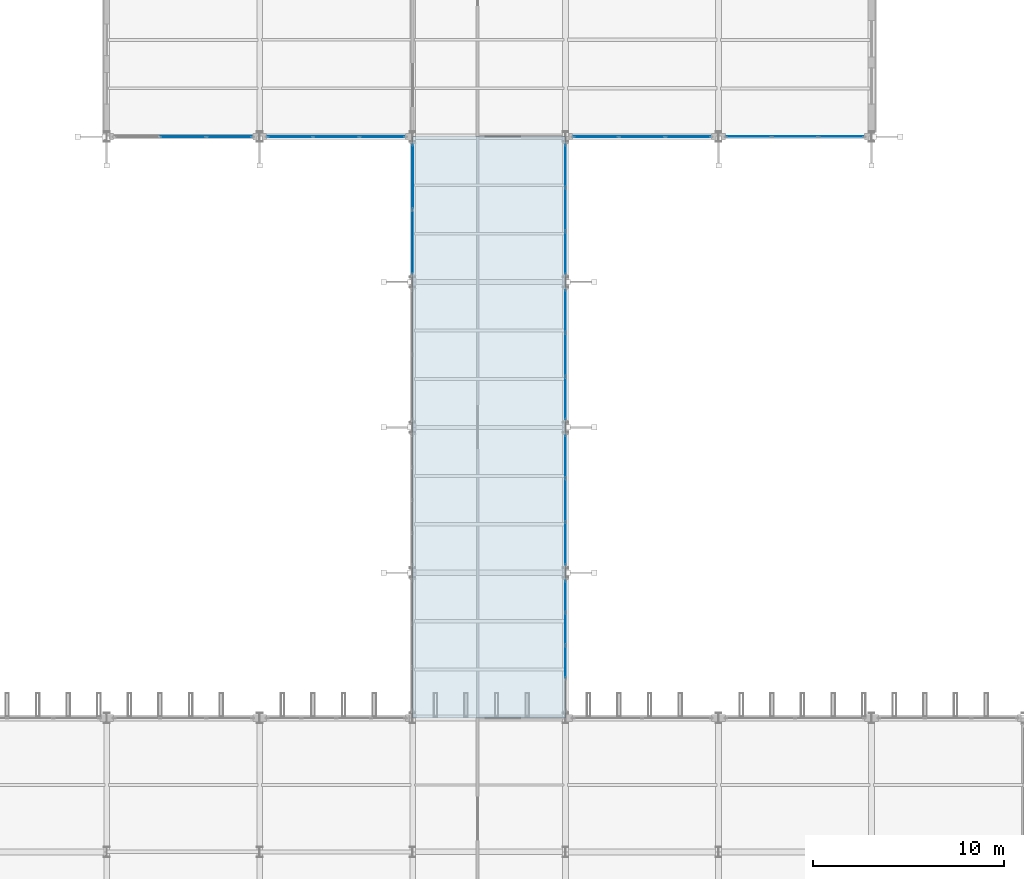
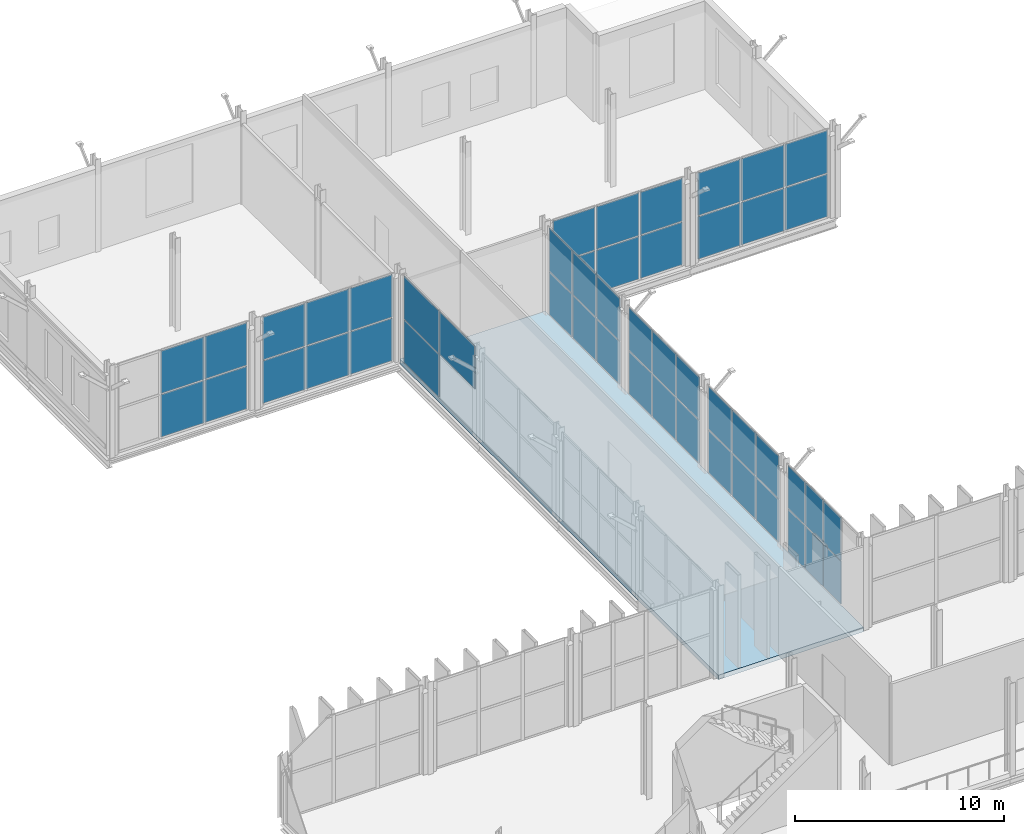
# One storey, part 104 of 147: 49 plates, 1 slab, 9 elements without a shape of their own.
"""IFC4 building model written with IfcOpenShell, lengths in metres."""

from ifc_helpers import new_model, si_unit, direction, frame, origin, origin_2d, place, context, subcontext, project, spatial, polyline, rectangle, outline, extrude, material, layer, layer_set, type_object, element, aggregate, save


model = new_model("IFC4")

# Units and contexts
model_context = context("Model", 3, precision=1e-05, world=origin(), true_north=direction((0.0, 1.0)))
body_context = subcontext(model_context, "Body", "Model", "MODEL_VIEW")
ifc_project = project(units=[si_unit("LENGTHUNIT", "METRE"), si_unit("AREAUNIT", "SQUARE_METRE"), si_unit("VOLUMEUNIT", "CUBIC_METRE"), si_unit("PLANEANGLEUNIT", "RADIAN"), si_unit("MASSUNIT", "GRAM", prefix="KILO")], contexts=[model_context])

# Site, building, storey
site_placement = place(None, origin())
site = spatial("IfcSite", under=ifc_project, at=site_placement, CompositionType="ELEMENT")
building_placement = place(site_placement, origin())
building = spatial("IfcBuilding", under=site, at=building_placement, Name="Vekula Escarpment Museum", CompositionType="ELEMENT")
storey_placement = place(building_placement, frame((0.0, 0.0, 7.800048828125)))
storey = spatial("IfcBuildingStorey", under=building, at=storey_placement, Name="L02", CompositionType="ELEMENT", Elevation=7.800048828125)

# Curtain wall, plates
ifc_material_1 = material(Name="Aluminium thermally broken framing", Category="aluminium")
ifc_layer_1 = layer(ifc_material_1, 0.169921875)
ifc_layer_set_1 = layer_set([ifc_layer_1], Name="Aluminium thermally broken framing")
curtain_wall_type_1 = type_object("IfcCurtainWallType", Name="CW-SYS-10", PredefinedType="NOTDEFINED", material=ifc_layer_set_1)
curtain_wall_1_placement = place(storey_placement, origin())
curtain_wall_1 = element("IfcCurtainWall", 1, at=curtain_wall_1_placement, inside=storey, type_object=curtain_wall_type_1, Name="Curtain Wall CW-L02-080", PredefinedType="NOTDEFINED")
ifc_material_2 = material(Name="Double solar-control low-E glass", Category="glass")
ifc_layer_2 = layer(ifc_material_2, 0.028076171875)
ifc_layer_set_2 = layer_set([ifc_layer_2], Name="Double solar-control low-E glass")
plate_type_1 = type_object("IfcPlateType", Name="CW-PNL-28", PredefinedType="CURTAIN_PANEL", material=ifc_layer_set_2)
plate_1_placement = place(storey_placement, frame((102.0, 99.52294921875, 0.06494140625), z_axis=(0.0, 0.0, 1.0), x_axis=(0.0, 1.0, 0.0)))
plate_1 = element("IfcPlate", 2, at=plate_1_placement, type_object=plate_type_1, Name="CW-10 panel 1.1", PredefinedType="CURTAIN_PANEL", context=body_context, shape_type="SweptSolid", body=[
    extrude(rectangle(XDim=2.19580078125, YDim=0.028076171875, at=origin_2d()), origin(), (0.0, 0.0, 1.0), 2.4775390625),
])
plate_2_placement = place(storey_placement, frame((102.0, 99.52294921875, 2.607421875), z_axis=(0.0, 0.0, 1.0), x_axis=(0.0, 1.0, 0.0)))
plate_2 = element("IfcPlate", 3, at=plate_2_placement, type_object=plate_type_1, Name="CW-10 panel 1.2", PredefinedType="CURTAIN_PANEL", context=body_context, shape_type="SweptSolid", body=[
    extrude(rectangle(XDim=2.19580078125, YDim=0.028076171875, at=origin_2d()), origin(), (0.0, 0.0, 1.0), 2.4775390625),
])
plate_3_placement = place(storey_placement, frame((102.0, 101.800048828125, 0.06494140625), z_axis=(0.0, 0.0, 1.0), x_axis=(0.0, 1.0, 0.0)))
plate_3 = element("IfcPlate", 4, at=plate_3_placement, type_object=plate_type_1, Name="CW-10 panel 2.1", PredefinedType="CURTAIN_PANEL", context=body_context, shape_type="SweptSolid", body=[
    extrude(rectangle(XDim=2.228271484375, YDim=0.028076171875, at=origin_2d()), origin(), (0.0, 0.0, 1.0), 2.4775390625),
])
plate_4_placement = place(storey_placement, frame((102.0, 101.800048828125, 2.607421875), z_axis=(0.0, 0.0, 1.0), x_axis=(0.0, 1.0, 0.0)))
plate_4 = element("IfcPlate", 5, at=plate_4_placement, type_object=plate_type_1, Name="CW-10 panel 2.2", PredefinedType="CURTAIN_PANEL", context=body_context, shape_type="SweptSolid", body=[
    extrude(rectangle(XDim=2.228271484375, YDim=0.028076171875, at=origin_2d()), origin(), (0.0, 0.0, 1.0), 2.4775390625),
])
plate_5_placement = place(storey_placement, frame((102.0, 104.0771484375, 0.06494140625), z_axis=(0.0, 0.0, 1.0), x_axis=(0.0, 1.0, 0.0)))
plate_5 = element("IfcPlate", 6, at=plate_5_placement, type_object=plate_type_1, Name="CW-10 panel 3.1", PredefinedType="CURTAIN_PANEL", context=body_context, shape_type="SweptSolid", body=[
    extrude(rectangle(XDim=2.19580078125, YDim=0.028076171875, at=origin_2d()), origin(), (0.0, 0.0, 1.0), 2.4775390625),
])
plate_6_placement = place(storey_placement, frame((102.0, 104.0771484375, 2.607421875), z_axis=(0.0, 0.0, 1.0), x_axis=(0.0, 1.0, 0.0)))
plate_6 = element("IfcPlate", 7, at=plate_6_placement, type_object=plate_type_1, Name="CW-10 panel 3.2", PredefinedType="CURTAIN_PANEL", context=body_context, shape_type="SweptSolid", body=[
    extrude(rectangle(XDim=2.19580078125, YDim=0.028076171875, at=origin_2d()), origin(), (0.0, 0.0, 1.0), 2.4775390625),
])
aggregate(curtain_wall_1, [plate_1, plate_2, plate_3, plate_4, plate_5, plate_6])

ifc_material_3 = material(Name="Aluminium thermally broken framing", Category="aluminium")
ifc_layer_3 = layer(ifc_material_3, 0.199951171875)
ifc_layer_set_3 = layer_set([ifc_layer_3], Name="Aluminium thermally broken framing")
curtain_wall_type_2 = type_object("IfcCurtainWallType", Name="CW-SYS-04", PredefinedType="NOTDEFINED", material=ifc_layer_set_3)
curtain_wall_2_placement = place(storey_placement, origin())
curtain_wall_2 = element("IfcCurtainWall", 8, at=curtain_wall_2_placement, inside=storey, type_object=curtain_wall_type_2, Name="Curtain Wall CW-L02-084", PredefinedType="NOTDEFINED")
plate_7_placement = place(storey_placement, frame((111.589599609375, 120.800048828125, 0.06494140625), z_axis=(0.0, 0.0, 1.0), x_axis=(1.0, 0.0, 0.0)))
plate_7 = element("IfcPlate", 9, at=plate_7_placement, type_object=plate_type_1, Name="CW-04 panel 1.1", PredefinedType="CURTAIN_PANEL", context=body_context, shape_type="SweptSolid", body=[
    extrude(rectangle(XDim=2.3291015625, YDim=0.028076171875, at=origin_2d()), origin(), (0.0, 0.0, 1.0), 2.4775390625),
])
plate_8_placement = place(storey_placement, frame((111.589599609375, 120.800048828125, 2.607421875), z_axis=(0.0, 0.0, 1.0), x_axis=(1.0, 0.0, 0.0)))
plate_8 = element("IfcPlate", 10, at=plate_8_placement, type_object=plate_type_1, Name="CW-04 panel 1.2", PredefinedType="CURTAIN_PANEL", context=body_context, shape_type="SweptSolid", body=[
    extrude(rectangle(XDim=2.3291015625, YDim=0.028076171875, at=origin_2d()), origin(), (0.0, 0.0, 1.0), 2.4775390625),
])
plate_9_placement = place(storey_placement, frame((114.0, 120.800048828125, 0.06494140625), z_axis=(0.0, 0.0, 1.0), x_axis=(1.0, 0.0, 0.0)))
plate_9 = element("IfcPlate", 11, at=plate_9_placement, type_object=plate_type_1, Name="CW-04 panel 2.1", PredefinedType="CURTAIN_PANEL", context=body_context, shape_type="SweptSolid", body=[
    extrude(rectangle(XDim=2.361572265625, YDim=0.028076171875, at=origin_2d()), origin(), (0.0, 0.0, 1.0), 2.4775390625),
])
plate_10_placement = place(storey_placement, frame((114.0, 120.800048828125, 2.607421875), z_axis=(0.0, 0.0, 1.0), x_axis=(1.0, 0.0, 0.0)))
plate_10 = element("IfcPlate", 12, at=plate_10_placement, type_object=plate_type_1, Name="CW-04 panel 2.2", PredefinedType="CURTAIN_PANEL", context=body_context, shape_type="SweptSolid", body=[
    extrude(rectangle(XDim=2.361572265625, YDim=0.028076171875, at=origin_2d()), origin(), (0.0, 0.0, 1.0), 2.4775390625),
])
plate_11_placement = place(storey_placement, frame((116.410400390625, 120.800048828125, 0.06494140625), z_axis=(0.0, 0.0, 1.0), x_axis=(1.0, 0.0, 0.0)))
plate_11 = element("IfcPlate", 13, at=plate_11_placement, type_object=plate_type_1, Name="CW-04 panel 3.1", PredefinedType="CURTAIN_PANEL", context=body_context, shape_type="SweptSolid", body=[
    extrude(rectangle(XDim=2.3291015625, YDim=0.028076171875, at=origin_2d()), origin(), (0.0, 0.0, 1.0), 2.4775390625),
])
plate_12_placement = place(storey_placement, frame((116.410400390625, 120.800048828125, 2.607421875), z_axis=(0.0, 0.0, 1.0), x_axis=(1.0, 0.0, 0.0)))
plate_12 = element("IfcPlate", 14, at=plate_12_placement, type_object=plate_type_1, Name="CW-04 panel 3.2", PredefinedType="CURTAIN_PANEL", context=body_context, shape_type="SweptSolid", body=[
    extrude(rectangle(XDim=2.3291015625, YDim=0.028076171875, at=origin_2d()), origin(), (0.0, 0.0, 1.0), 2.4775390625),
])
aggregate(curtain_wall_2, [plate_7, plate_8, plate_9, plate_10, plate_11, plate_12])

ifc_material_4 = material(Name="Aluminium thermally broken framing", Category="aluminium")
ifc_layer_4 = layer(ifc_material_4, 0.159912109375)
ifc_layer_set_4 = layer_set([ifc_layer_4], Name="Aluminium thermally broken framing")
curtain_wall_type_3 = type_object("IfcCurtainWallType", Name="CW-SYS-01", PredefinedType="NOTDEFINED", material=ifc_layer_set_4)
curtain_wall_3_placement = place(storey_placement, origin())
curtain_wall_3 = element("IfcCurtainWall", 15, at=curtain_wall_3_placement, inside=storey, type_object=curtain_wall_type_3, Name="Curtain Wall CW-L02-081", PredefinedType="NOTDEFINED")
ifc_material_5 = material(Name="Acoustic laminated double low-E glass", Category="glass")
ifc_layer_5 = layer(ifc_material_5, 0.031982421875)
ifc_layer_set_5 = layer_set([ifc_layer_5], Name="Acoustic laminated double low-E glass")
plate_type_2 = type_object("IfcPlateType", Name="CW-PNL-32", PredefinedType="CURTAIN_PANEL", material=ifc_layer_set_5)
plate_13_placement = place(storey_placement, frame((102.0, 107.122802734375, 0.06494140625), z_axis=(0.0, 0.0, 1.0), x_axis=(0.0, 1.0, 0.0)))
plate_13 = element("IfcPlate", 16, at=plate_13_placement, type_object=plate_type_2, Name="CW-01 panel 1.1", PredefinedType="CURTAIN_PANEL", context=body_context, shape_type="SweptSolid", body=[
    extrude(rectangle(XDim=2.19580078125, YDim=0.031982421875, at=origin_2d()), origin(), (0.0, 0.0, 1.0), 2.4775390625),
])
plate_14_placement = place(storey_placement, frame((102.0, 107.122802734375, 2.607421875), z_axis=(0.0, 0.0, 1.0), x_axis=(0.0, 1.0, 0.0)))
plate_14 = element("IfcPlate", 17, at=plate_14_placement, type_object=plate_type_2, Name="CW-01 panel 1.2", PredefinedType="CURTAIN_PANEL", context=body_context, shape_type="SweptSolid", body=[
    extrude(rectangle(XDim=2.19580078125, YDim=0.031982421875, at=origin_2d()), origin(), (0.0, 0.0, 1.0), 2.4775390625),
])
plate_15_placement = place(storey_placement, frame((102.0, 109.39990234375, 0.06494140625), z_axis=(0.0, 0.0, 1.0), x_axis=(0.0, 1.0, 0.0)))
plate_15 = element("IfcPlate", 18, at=plate_15_placement, type_object=plate_type_2, Name="CW-01 panel 2.1", PredefinedType="CURTAIN_PANEL", context=body_context, shape_type="SweptSolid", body=[
    extrude(rectangle(XDim=2.228271484375, YDim=0.031982421875, at=origin_2d()), origin(), (0.0, 0.0, 1.0), 2.4775390625),
])
plate_16_placement = place(storey_placement, frame((102.0, 109.39990234375, 2.607421875), z_axis=(0.0, 0.0, 1.0), x_axis=(0.0, 1.0, 0.0)))
plate_16 = element("IfcPlate", 19, at=plate_16_placement, type_object=plate_type_2, Name="CW-01 panel 2.2", PredefinedType="CURTAIN_PANEL", context=body_context, shape_type="SweptSolid", body=[
    extrude(rectangle(XDim=2.228271484375, YDim=0.031982421875, at=origin_2d()), origin(), (0.0, 0.0, 1.0), 2.4775390625),
])
plate_17_placement = place(storey_placement, frame((102.0, 111.677001953125, 0.06494140625), z_axis=(0.0, 0.0, 1.0), x_axis=(0.0, 1.0, 0.0)))
plate_17 = element("IfcPlate", 20, at=plate_17_placement, type_object=plate_type_2, Name="CW-01 panel 3.1", PredefinedType="CURTAIN_PANEL", context=body_context, shape_type="SweptSolid", body=[
    extrude(rectangle(XDim=2.19580078125, YDim=0.031982421875, at=origin_2d()), origin(), (0.0, 0.0, 1.0), 2.4775390625),
])
plate_18_placement = place(storey_placement, frame((102.0, 111.677001953125, 2.607421875), z_axis=(0.0, 0.0, 1.0), x_axis=(0.0, 1.0, 0.0)))
plate_18 = element("IfcPlate", 21, at=plate_18_placement, type_object=plate_type_2, Name="CW-01 panel 3.2", PredefinedType="CURTAIN_PANEL", context=body_context, shape_type="SweptSolid", body=[
    extrude(rectangle(XDim=2.19580078125, YDim=0.031982421875, at=origin_2d()), origin(), (0.0, 0.0, 1.0), 2.4775390625),
])
aggregate(curtain_wall_3, [plate_13, plate_14, plate_15, plate_16, plate_17, plate_18])

ifc_material_6 = material(Name="Aluminium thermally broken framing", Category="aluminium")
ifc_layer_6 = layer(ifc_material_6, 0.159912109375)
ifc_layer_set_6 = layer_set([ifc_layer_6], Name="Aluminium thermally broken framing")
curtain_wall_type_4 = type_object("IfcCurtainWallType", Name="CW-SYS-05", PredefinedType="NOTDEFINED", material=ifc_layer_set_6)
curtain_wall_4_placement = place(storey_placement, origin())
curtain_wall_4 = element("IfcCurtainWall", 22, at=curtain_wall_4_placement, inside=storey, type_object=curtain_wall_type_4, Name="Curtain Wall CW-L02-085", PredefinedType="NOTDEFINED")
plate_19_placement = place(storey_placement, frame((82.0, 120.800048828125, 0.06494140625), z_axis=(0.0, 0.0, 1.0), x_axis=(1.0, 0.0, 0.0)))
plate_19 = element("IfcPlate", 23, at=plate_19_placement, type_object=plate_type_2, Name="CW-05 panel 2.1", PredefinedType="CURTAIN_PANEL", context=body_context, shape_type="SweptSolid", body=[
    extrude(rectangle(XDim=2.361572265625, YDim=0.031982421875, at=origin_2d()), origin(), (0.0, 0.0, 1.0), 2.4775390625),
])
plate_20_placement = place(storey_placement, frame((82.0, 120.800048828125, 2.607421875), z_axis=(0.0, 0.0, 1.0), x_axis=(1.0, 0.0, 0.0)))
plate_20 = element("IfcPlate", 24, at=plate_20_placement, type_object=plate_type_2, Name="CW-05 panel 2.2", PredefinedType="CURTAIN_PANEL", context=body_context, shape_type="SweptSolid", body=[
    extrude(rectangle(XDim=2.361572265625, YDim=0.031982421875, at=origin_2d()), origin(), (0.0, 0.0, 1.0), 2.4775390625),
])
plate_21_placement = place(storey_placement, frame((84.410400390625, 120.800048828125, 0.06494140625), z_axis=(0.0, 0.0, 1.0), x_axis=(1.0, 0.0, 0.0)))
plate_21 = element("IfcPlate", 25, at=plate_21_placement, type_object=plate_type_2, Name="CW-05 panel 3.1", PredefinedType="CURTAIN_PANEL", context=body_context, shape_type="SweptSolid", body=[
    extrude(rectangle(XDim=2.3291015625, YDim=0.031982421875, at=origin_2d()), origin(), (0.0, 0.0, 1.0), 2.4775390625),
])
plate_22_placement = place(storey_placement, frame((84.410400390625, 120.800048828125, 2.607421875), z_axis=(0.0, 0.0, 1.0), x_axis=(1.0, 0.0, 0.0)))
plate_22 = element("IfcPlate", 26, at=plate_22_placement, type_object=plate_type_2, Name="CW-05 panel 3.2", PredefinedType="CURTAIN_PANEL", context=body_context, shape_type="SweptSolid", body=[
    extrude(rectangle(XDim=2.3291015625, YDim=0.031982421875, at=origin_2d()), origin(), (0.0, 0.0, 1.0), 2.4775390625),
])
aggregate(curtain_wall_4, [plate_19, plate_20, plate_21, plate_22])

ifc_material_7 = material(Name="Aluminium thermally broken framing", Category="aluminium")
ifc_layer_7 = layer(ifc_material_7, 0.159912109375)
ifc_layer_set_7 = layer_set([ifc_layer_7], Name="Aluminium thermally broken framing")
curtain_wall_type_5 = type_object("IfcCurtainWallType", Name="CW-SYS-02", PredefinedType="NOTDEFINED", material=ifc_layer_set_7)
curtain_wall_5_placement = place(storey_placement, origin())
curtain_wall_5 = element("IfcCurtainWall", 27, at=curtain_wall_5_placement, inside=storey, type_object=curtain_wall_type_5, Name="Curtain Wall CW-L02-082", PredefinedType="NOTDEFINED")
ifc_material_8 = material(Name="Triple UV-filtered museum gallery glass", Category="glass")
ifc_layer_8 = layer(ifc_material_8, 0.035888671875)
ifc_layer_set_8 = layer_set([ifc_layer_8], Name="Triple UV-filtered museum gallery glass")
plate_type_3 = type_object("IfcPlateType", Name="CW-PNL-36", PredefinedType="CURTAIN_PANEL", material=ifc_layer_set_8)
plate_23_placement = place(storey_placement, frame((102.0, 114.722900390625, 0.06494140625), z_axis=(0.0, 0.0, 1.0), x_axis=(0.0, 1.0, 0.0)))
plate_23 = element("IfcPlate", 28, at=plate_23_placement, type_object=plate_type_3, Name="CW-02 panel 1.1", PredefinedType="CURTAIN_PANEL", context=body_context, shape_type="SweptSolid", body=[
    extrude(rectangle(XDim=2.19580078125, YDim=0.035888671875, at=origin_2d()), origin(), (0.0, 0.0, 1.0), 2.4775390625),
])
plate_24_placement = place(storey_placement, frame((102.0, 114.722900390625, 2.607421875), z_axis=(0.0, 0.0, 1.0), x_axis=(0.0, 1.0, 0.0)))
plate_24 = element("IfcPlate", 29, at=plate_24_placement, type_object=plate_type_3, Name="CW-02 panel 1.2", PredefinedType="CURTAIN_PANEL", context=body_context, shape_type="SweptSolid", body=[
    extrude(rectangle(XDim=2.19580078125, YDim=0.035888671875, at=origin_2d()), origin(), (0.0, 0.0, 1.0), 2.4775390625),
])
plate_25_placement = place(storey_placement, frame((102.0, 117.0, 0.06494140625), z_axis=(0.0, 0.0, 1.0), x_axis=(0.0, 1.0, 0.0)))
plate_25 = element("IfcPlate", 30, at=plate_25_placement, type_object=plate_type_3, Name="CW-02 panel 2.1", PredefinedType="CURTAIN_PANEL", context=body_context, shape_type="SweptSolid", body=[
    extrude(rectangle(XDim=2.228271484375, YDim=0.035888671875, at=origin_2d()), origin(), (0.0, 0.0, 1.0), 2.4775390625),
])
plate_26_placement = place(storey_placement, frame((102.0, 117.0, 2.607421875), z_axis=(0.0, 0.0, 1.0), x_axis=(0.0, 1.0, 0.0)))
plate_26 = element("IfcPlate", 31, at=plate_26_placement, type_object=plate_type_3, Name="CW-02 panel 2.2", PredefinedType="CURTAIN_PANEL", context=body_context, shape_type="SweptSolid", body=[
    extrude(rectangle(XDim=2.228271484375, YDim=0.035888671875, at=origin_2d()), origin(), (0.0, 0.0, 1.0), 2.4775390625),
])
plate_27_placement = place(storey_placement, frame((102.0, 119.277099609375, 0.06494140625), z_axis=(0.0, 0.0, 1.0), x_axis=(0.0, 1.0, 0.0)))
plate_27 = element("IfcPlate", 32, at=plate_27_placement, type_object=plate_type_3, Name="CW-02 panel 3.1", PredefinedType="CURTAIN_PANEL", context=body_context, shape_type="SweptSolid", body=[
    extrude(rectangle(XDim=2.19580078125, YDim=0.035888671875, at=origin_2d()), origin(), (0.0, 0.0, 1.0), 2.4775390625),
])
plate_28_placement = place(storey_placement, frame((102.0, 119.277099609375, 2.607421875), z_axis=(0.0, 0.0, 1.0), x_axis=(0.0, 1.0, 0.0)))
plate_28 = element("IfcPlate", 33, at=plate_28_placement, type_object=plate_type_3, Name="CW-02 panel 3.2", PredefinedType="CURTAIN_PANEL", context=body_context, shape_type="SweptSolid", body=[
    extrude(rectangle(XDim=2.19580078125, YDim=0.035888671875, at=origin_2d()), origin(), (0.0, 0.0, 1.0), 2.4775390625),
])
aggregate(curtain_wall_5, [plate_23, plate_24, plate_25, plate_26, plate_27, plate_28])

ifc_material_9 = material(Name="Aluminium thermally broken framing", Category="aluminium")
ifc_layer_9 = layer(ifc_material_9, 0.139892578125)
ifc_layer_set_9 = layer_set([ifc_layer_9], Name="Aluminium thermally broken framing")
curtain_wall_type_6 = type_object("IfcCurtainWallType", Name="CW-SYS-06", PredefinedType="NOTDEFINED", material=ifc_layer_set_9)
curtain_wall_6_placement = place(storey_placement, origin())
curtain_wall_6 = element("IfcCurtainWall", 34, at=curtain_wall_6_placement, inside=storey, type_object=curtain_wall_type_6, Name="Curtain Wall CW-L02-086", PredefinedType="NOTDEFINED")
plate_29_placement = place(storey_placement, frame((87.589599609375, 120.800048828125, 0.06494140625), z_axis=(0.0, 0.0, 1.0), x_axis=(1.0, 0.0, 0.0)))
plate_29 = element("IfcPlate", 35, at=plate_29_placement, type_object=plate_type_3, Name="CW-06 panel 1.1", PredefinedType="CURTAIN_PANEL", context=body_context, shape_type="SweptSolid", body=[
    extrude(rectangle(XDim=2.3291015625, YDim=0.035888671875, at=origin_2d()), origin(), (0.0, 0.0, 1.0), 2.4775390625),
])
plate_30_placement = place(storey_placement, frame((87.589599609375, 120.800048828125, 2.607421875), z_axis=(0.0, 0.0, 1.0), x_axis=(1.0, 0.0, 0.0)))
plate_30 = element("IfcPlate", 36, at=plate_30_placement, type_object=plate_type_3, Name="CW-06 panel 1.2", PredefinedType="CURTAIN_PANEL", context=body_context, shape_type="SweptSolid", body=[
    extrude(rectangle(XDim=2.3291015625, YDim=0.035888671875, at=origin_2d()), origin(), (0.0, 0.0, 1.0), 2.4775390625),
])
plate_31_placement = place(storey_placement, frame((90.0, 120.800048828125, 0.06494140625), z_axis=(0.0, 0.0, 1.0), x_axis=(1.0, 0.0, 0.0)))
plate_31 = element("IfcPlate", 37, at=plate_31_placement, type_object=plate_type_3, Name="CW-06 panel 2.1", PredefinedType="CURTAIN_PANEL", context=body_context, shape_type="SweptSolid", body=[
    extrude(rectangle(XDim=2.361572265625, YDim=0.035888671875, at=origin_2d()), origin(), (0.0, 0.0, 1.0), 2.4775390625),
])
plate_32_placement = place(storey_placement, frame((90.0, 120.800048828125, 2.607421875), z_axis=(0.0, 0.0, 1.0), x_axis=(1.0, 0.0, 0.0)))
plate_32 = element("IfcPlate", 38, at=plate_32_placement, type_object=plate_type_3, Name="CW-06 panel 2.2", PredefinedType="CURTAIN_PANEL", context=body_context, shape_type="SweptSolid", body=[
    extrude(rectangle(XDim=2.361572265625, YDim=0.035888671875, at=origin_2d()), origin(), (0.0, 0.0, 1.0), 2.4775390625),
])
plate_33_placement = place(storey_placement, frame((92.410400390625, 120.800048828125, 0.06494140625), z_axis=(0.0, 0.0, 1.0), x_axis=(1.0, 0.0, 0.0)))
plate_33 = element("IfcPlate", 39, at=plate_33_placement, type_object=plate_type_3, Name="CW-06 panel 3.1", PredefinedType="CURTAIN_PANEL", context=body_context, shape_type="SweptSolid", body=[
    extrude(rectangle(XDim=2.3291015625, YDim=0.035888671875, at=origin_2d()), origin(), (0.0, 0.0, 1.0), 2.4775390625),
])
plate_34_placement = place(storey_placement, frame((92.410400390625, 120.800048828125, 2.607421875), z_axis=(0.0, 0.0, 1.0), x_axis=(1.0, 0.0, 0.0)))
plate_34 = element("IfcPlate", 40, at=plate_34_placement, type_object=plate_type_3, Name="CW-06 panel 3.2", PredefinedType="CURTAIN_PANEL", context=body_context, shape_type="SweptSolid", body=[
    extrude(rectangle(XDim=2.3291015625, YDim=0.035888671875, at=origin_2d()), origin(), (0.0, 0.0, 1.0), 2.4775390625),
])
aggregate(curtain_wall_6, [plate_29, plate_30, plate_31, plate_32, plate_33, plate_34])

ifc_material_10 = material(Name="Aluminium thermally broken framing", Category="aluminium")
ifc_layer_10 = layer(ifc_material_10, 0.14990234375)
ifc_layer_set_10 = layer_set([ifc_layer_10], Name="Aluminium thermally broken framing")
curtain_wall_type_7 = type_object("IfcCurtainWallType", Name="CW-SYS-09", PredefinedType="NOTDEFINED", material=ifc_layer_set_10)
curtain_wall_7_placement = place(storey_placement, origin())
curtain_wall_7 = element("IfcCurtainWall", 41, at=curtain_wall_7_placement, inside=storey, type_object=curtain_wall_type_7, Name="Curtain Wall CW-L02-079", PredefinedType="NOTDEFINED")
ifc_material_11 = material(Name="Insulated bronze spandrel glass panel", Category="glass")
ifc_layer_11 = layer(ifc_material_11, 0.0400390625)
ifc_layer_set_11 = layer_set([ifc_layer_11], Name="Insulated bronze spandrel glass panel")
plate_type_4 = type_object("IfcPlateType", Name="CW-PNL-40", PredefinedType="CURTAIN_PANEL", material=ifc_layer_set_11)
plate_35_placement = place(storey_placement, frame((102.0, 93.340087890625, 0.06494140625), z_axis=(0.0, 0.0, 1.0), x_axis=(0.0, 1.0, 0.0)))
plate_35 = element("IfcPlate", 42, at=plate_35_placement, type_object=plate_type_4, Name="CW-09 panel 2.1", PredefinedType="CURTAIN_PANEL", context=body_context, shape_type="SweptSolid", body=[
    extrude(rectangle(XDim=1.655029296875, YDim=0.0400390625, at=origin_2d()), origin(), (0.0, 0.0, 1.0), 2.4775390625),
])
plate_36_placement = place(storey_placement, frame((102.0, 93.340087890625, 2.607421875), z_axis=(0.0, 0.0, 1.0), x_axis=(0.0, 1.0, 0.0)))
plate_36 = element("IfcPlate", 43, at=plate_36_placement, type_object=plate_type_4, Name="CW-09 panel 2.2", PredefinedType="CURTAIN_PANEL", context=body_context, shape_type="SweptSolid", body=[
    extrude(rectangle(XDim=1.655029296875, YDim=0.0400390625, at=origin_2d()), origin(), (0.0, 0.0, 1.0), 2.4775390625),
])
plate_37_placement = place(storey_placement, frame((102.0, 95.06005859375, 0.06494140625), z_axis=(0.0, 0.0, 1.0), x_axis=(0.0, 1.0, 0.0)))
plate_37 = element("IfcPlate", 44, at=plate_37_placement, type_object=plate_type_4, Name="CW-09 panel 3.1", PredefinedType="CURTAIN_PANEL", context=body_context, shape_type="SweptSolid", body=[
    extrude(rectangle(XDim=1.655029296875, YDim=0.0400390625, at=origin_2d()), origin(), (0.0, 0.0, 1.0), 2.4775390625),
])
plate_38_placement = place(storey_placement, frame((102.0, 95.06005859375, 2.607421875), z_axis=(0.0, 0.0, 1.0), x_axis=(0.0, 1.0, 0.0)))
plate_38 = element("IfcPlate", 45, at=plate_38_placement, type_object=plate_type_4, Name="CW-09 panel 3.2", PredefinedType="CURTAIN_PANEL", context=body_context, shape_type="SweptSolid", body=[
    extrude(rectangle(XDim=1.655029296875, YDim=0.0400390625, at=origin_2d()), origin(), (0.0, 0.0, 1.0), 2.4775390625),
])
plate_39_placement = place(storey_placement, frame((102.0, 96.763671875, 0.06494140625), z_axis=(0.0, 0.0, 1.0), x_axis=(0.0, 1.0, 0.0)))
plate_39 = element("IfcPlate", 46, at=plate_39_placement, type_object=plate_type_4, Name="CW-09 panel 4.1", PredefinedType="CURTAIN_PANEL", context=body_context, shape_type="SweptSolid", body=[
    extrude(rectangle(XDim=1.62255859375, YDim=0.0400390625, at=origin_2d()), origin(), (0.0, 0.0, 1.0), 2.4775390625),
])
plate_40_placement = place(storey_placement, frame((102.0, 96.763671875, 2.607421875), z_axis=(0.0, 0.0, 1.0), x_axis=(0.0, 1.0, 0.0)))
plate_40 = element("IfcPlate", 47, at=plate_40_placement, type_object=plate_type_4, Name="CW-09 panel 4.2", PredefinedType="CURTAIN_PANEL", context=body_context, shape_type="SweptSolid", body=[
    extrude(rectangle(XDim=1.62255859375, YDim=0.0400390625, at=origin_2d()), origin(), (0.0, 0.0, 1.0), 2.4775390625),
])
aggregate(curtain_wall_7, [plate_35, plate_36, plate_37, plate_38, plate_39, plate_40])

ifc_material_12 = material(Name="Aluminium thermally broken framing", Category="aluminium")
ifc_layer_12 = layer(ifc_material_12, 0.199951171875)
ifc_layer_set_12 = layer_set([ifc_layer_12], Name="Aluminium thermally broken framing")
curtain_wall_type_8 = type_object("IfcCurtainWallType", Name="CW-SYS-03", PredefinedType="NOTDEFINED", material=ifc_layer_set_12)
curtain_wall_8_placement = place(storey_placement, origin())
curtain_wall_8 = element("IfcCurtainWall", 48, at=curtain_wall_8_placement, inside=storey, type_object=curtain_wall_type_8, Name="Curtain Wall CW-L02-083", PredefinedType="NOTDEFINED")
plate_41_placement = place(storey_placement, frame((103.589599609375, 120.800048828125, 0.06494140625), z_axis=(0.0, 0.0, 1.0), x_axis=(1.0, 0.0, 0.0)))
plate_41 = element("IfcPlate", 49, at=plate_41_placement, type_object=plate_type_4, Name="CW-03 panel 1.1", PredefinedType="CURTAIN_PANEL", context=body_context, shape_type="SweptSolid", body=[
    extrude(rectangle(XDim=2.3291015625, YDim=0.0400390625, at=origin_2d()), origin(), (0.0, 0.0, 1.0), 2.4775390625),
])
plate_42_placement = place(storey_placement, frame((103.589599609375, 120.800048828125, 2.607421875), z_axis=(0.0, 0.0, 1.0), x_axis=(1.0, 0.0, 0.0)))
plate_42 = element("IfcPlate", 50, at=plate_42_placement, type_object=plate_type_4, Name="CW-03 panel 1.2", PredefinedType="CURTAIN_PANEL", context=body_context, shape_type="SweptSolid", body=[
    extrude(rectangle(XDim=2.3291015625, YDim=0.0400390625, at=origin_2d()), origin(), (0.0, 0.0, 1.0), 2.4775390625),
])
plate_43_placement = place(storey_placement, frame((106.0, 120.800048828125, 0.06494140625), z_axis=(0.0, 0.0, 1.0), x_axis=(1.0, 0.0, 0.0)))
plate_43 = element("IfcPlate", 51, at=plate_43_placement, type_object=plate_type_4, Name="CW-03 panel 2.1", PredefinedType="CURTAIN_PANEL", context=body_context, shape_type="SweptSolid", body=[
    extrude(rectangle(XDim=2.361572265625, YDim=0.0400390625, at=origin_2d()), origin(), (0.0, 0.0, 1.0), 2.4775390625),
])
plate_44_placement = place(storey_placement, frame((106.0, 120.800048828125, 2.607421875), z_axis=(0.0, 0.0, 1.0), x_axis=(1.0, 0.0, 0.0)))
plate_44 = element("IfcPlate", 52, at=plate_44_placement, type_object=plate_type_4, Name="CW-03 panel 2.2", PredefinedType="CURTAIN_PANEL", context=body_context, shape_type="SweptSolid", body=[
    extrude(rectangle(XDim=2.361572265625, YDim=0.0400390625, at=origin_2d()), origin(), (0.0, 0.0, 1.0), 2.4775390625),
])
plate_45_placement = place(storey_placement, frame((108.410400390625, 120.800048828125, 0.06494140625), z_axis=(0.0, 0.0, 1.0), x_axis=(1.0, 0.0, 0.0)))
plate_45 = element("IfcPlate", 53, at=plate_45_placement, type_object=plate_type_4, Name="CW-03 panel 3.1", PredefinedType="CURTAIN_PANEL", context=body_context, shape_type="SweptSolid", body=[
    extrude(rectangle(XDim=2.3291015625, YDim=0.0400390625, at=origin_2d()), origin(), (0.0, 0.0, 1.0), 2.4775390625),
])
plate_46_placement = place(storey_placement, frame((108.410400390625, 120.800048828125, 2.607421875), z_axis=(0.0, 0.0, 1.0), x_axis=(1.0, 0.0, 0.0)))
plate_46 = element("IfcPlate", 54, at=plate_46_placement, type_object=plate_type_4, Name="CW-03 panel 3.2", PredefinedType="CURTAIN_PANEL", context=body_context, shape_type="SweptSolid", body=[
    extrude(rectangle(XDim=2.3291015625, YDim=0.0400390625, at=origin_2d()), origin(), (0.0, 0.0, 1.0), 2.4775390625),
])
aggregate(curtain_wall_8, [plate_41, plate_42, plate_43, plate_44, plate_45, plate_46])

ifc_material_13 = material(Name="Aluminium thermally broken framing", Category="aluminium")
ifc_layer_13 = layer(ifc_material_13, 0.179931640625)
ifc_layer_set_13 = layer_set([ifc_layer_13], Name="Aluminium thermally broken framing")
curtain_wall_type_9 = type_object("IfcCurtainWallType", Name="CW-SYS-07", PredefinedType="NOTDEFINED", material=ifc_layer_set_13)
curtain_wall_9_placement = place(storey_placement, origin())
curtain_wall_9 = element("IfcCurtainWall", 55, at=curtain_wall_9_placement, inside=storey, type_object=curtain_wall_type_9, Name="Curtain Wall CW-L02-087", PredefinedType="NOTDEFINED")
plate_47_placement = place(storey_placement, frame((94.0, 118.703857421875, 0.06494140625), z_axis=(0.0, 0.0, 1.0), x_axis=(0.0, -1.0, 0.0)))
plate_47 = element("IfcPlate", 56, at=plate_47_placement, type_object=plate_type_4, Name="CW-07 panel 1.1", PredefinedType="CURTAIN_PANEL", context=body_context, shape_type="SweptSolid", body=[
    extrude(rectangle(XDim=3.342529296875, YDim=0.0400390625, at=origin_2d()), origin(), (0.0, 0.0, 1.0), 2.4775390625),
])
plate_48_placement = place(storey_placement, frame((94.0, 118.703857421875, 2.607421875), z_axis=(0.0, 0.0, 1.0), x_axis=(0.0, -1.0, 0.0)))
plate_48 = element("IfcPlate", 57, at=plate_48_placement, type_object=plate_type_4, Name="CW-07 panel 1.2", PredefinedType="CURTAIN_PANEL", context=body_context, shape_type="SweptSolid", body=[
    extrude(rectangle(XDim=3.342529296875, YDim=0.0400390625, at=origin_2d()), origin(), (0.0, 0.0, 1.0), 2.4775390625),
])
plate_49_placement = place(storey_placement, frame((94.0, 115.296142578125, 2.607421875), z_axis=(0.0, 0.0, 1.0), x_axis=(0.0, -1.0, 0.0)))
plate_49 = element("IfcPlate", 58, at=plate_49_placement, type_object=plate_type_4, Name="CW-07 panel 2.2", PredefinedType="CURTAIN_PANEL", context=body_context, shape_type="SweptSolid", body=[
    extrude(rectangle(XDim=3.342529296875, YDim=0.0400390625, at=origin_2d()), origin(), (0.0, 0.0, 1.0), 2.4775390625),
])
aggregate(curtain_wall_9, [plate_47, plate_48, plate_49])

# Slab
ifc_material_14 = material(Name="Concrete C35/45", Category="concrete")
ifc_layer_14 = layer(ifc_material_14, 0.260009765625)
ifc_layer_set_14 = layer_set([ifc_layer_14], Name="Concrete C35/45")
slab_type = type_object("IfcSlabType", Name="SL-FLR-260", PredefinedType="FLOOR", material=ifc_layer_set_14)
slab_placement = place(storey_placement, frame((0.0, 0.0, -0.260009765625)))
element("IfcSlab", 59, at=slab_placement, inside=storey, type_object=slab_type, Name="Floor Slab W-L02-V2-NLK", PredefinedType="FLOOR", context=body_context, shape_type="SweptSolid", body=[
    extrude(outline(polyline([(94.0, 90.39990234375), (102.0, 90.39990234375), (102.0, 120.800048828125), (94.0, 120.800048828125), (94.0, 90.39990234375)])), origin(), (0.0, 0.0, 1.0), 0.260009765625),
])

save(model, "model.ifc")
